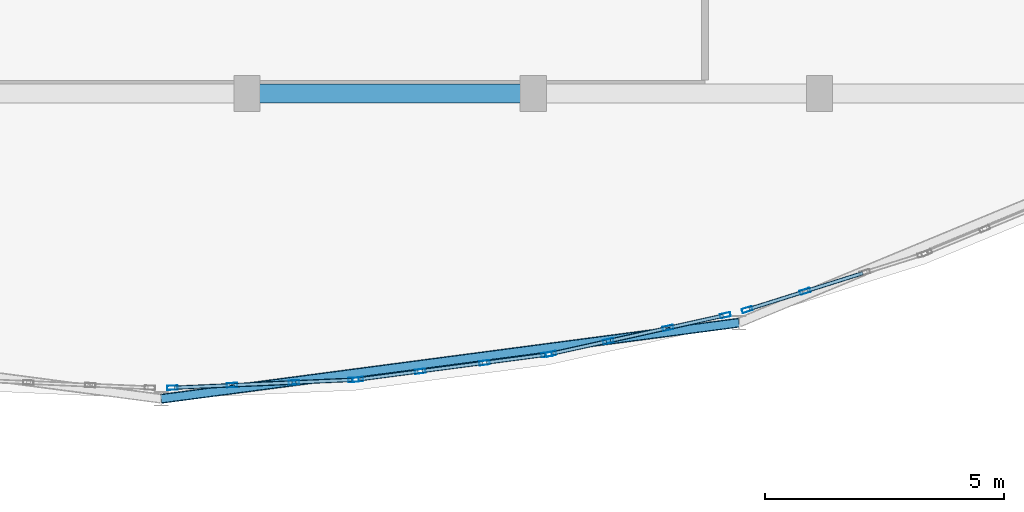
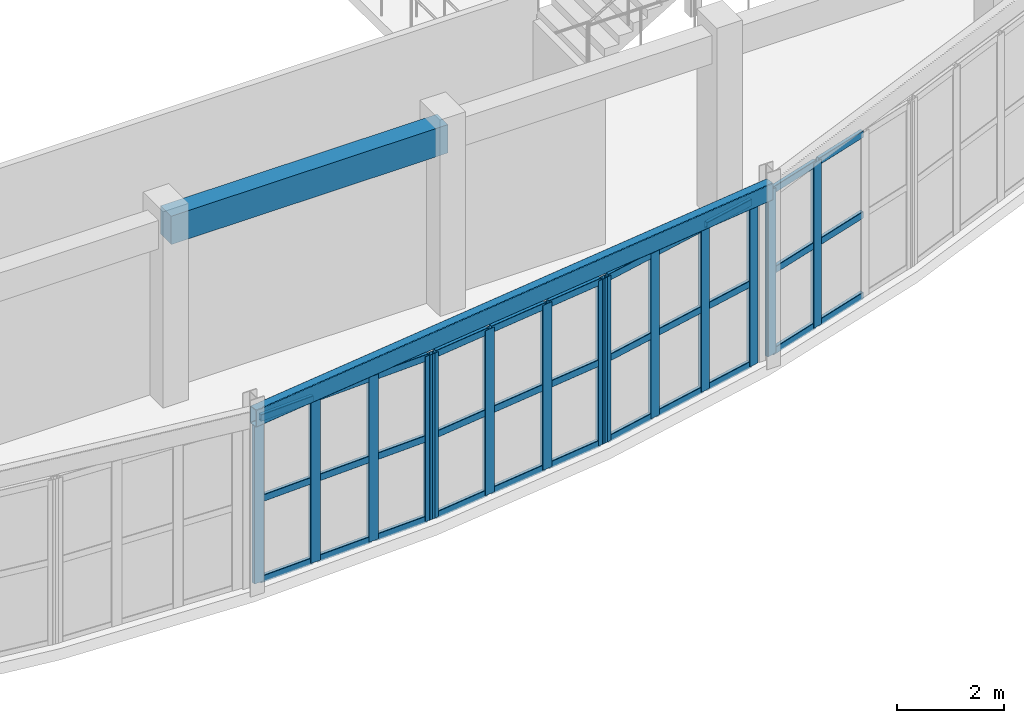
# One storey, part 9 of 92: 47 members, 2 beams, 4 elements without a shape of their own.
"""IFC4 building model written with IfcOpenShell, lengths in metres."""

from ifc_helpers import new_model, si_unit, direction, frame, origin, origin_2d, place, context, subcontext, project, spatial, rectangle, hollow_rectangle, extrude, material, layer, layer_set, material_profile, profile_set, type_object, element, aggregate, save


model = new_model("IFC4")

# Units and contexts
model_context = context("Model", 3, precision=1e-05, world=origin(), true_north=direction((0.0, 1.0)))
body_context = subcontext(model_context, "Body", "Model", "MODEL_VIEW")
ifc_project = project(units=[si_unit("LENGTHUNIT", "METRE"), si_unit("AREAUNIT", "SQUARE_METRE"), si_unit("VOLUMEUNIT", "CUBIC_METRE"), si_unit("PLANEANGLEUNIT", "RADIAN"), si_unit("MASSUNIT", "GRAM", prefix="KILO")], contexts=[model_context])

# Site, building, storey
site_placement = place(None, origin())
site = spatial("IfcSite", under=ifc_project, at=site_placement, CompositionType="ELEMENT")
building_placement = place(site_placement, origin())
building = spatial("IfcBuilding", under=site, at=building_placement, Name="Tarnavel Promenade Courthouse", CompositionType="ELEMENT")
storey_placement = place(building_placement, frame((0.0, 0.0, 5.39990234375)))
storey = spatial("IfcBuildingStorey", under=building, at=storey_placement, Name="L02", CompositionType="ELEMENT", Elevation=5.39990234375)

# Beams
ifc_material_1 = material(Name="Concrete C40/50", Category="concrete")
ifc_material_profile_1 = material_profile(ifc_material_1, rectangle(XDim=0.39990234375, YDim=0.64990234375, at=origin_2d()), Name="RC 400x650")
ifc_profile_set_1 = profile_set([ifc_material_profile_1], Name="Concrete C40/50")
beam_type_1 = type_object("IfcBeamType", Name="Concrete C40/50 BM-RC-400x650 (RC 400x650)", PredefinedType="BEAM", material=ifc_profile_set_1)
beam_1_placement = place(storey_placement, frame((33.60009765625, 14.800048828125, 3.8701171875), z_axis=(1.0, 0.0, 0.0), x_axis=(0.0, 1.0, 0.0)))
element("IfcBeam", 1, at=beam_1_placement, inside=storey, type_object=beam_type_1, Name="L02 Primary Longitudinal Beam 1076", PredefinedType="BEAM", context=body_context, shape_type="SweptSolid", body=[
    extrude(rectangle(XDim=0.39990234375, YDim=0.64990234375, at=origin_2d()), origin(), (0.0, 0.0, 1.0), 6.0),
])
ifc_material_2 = material(Name="Steel S355J2", Category="steel")
ifc_material_profile_2 = material_profile(ifc_material_2, hollow_rectangle(XDim=0.199951171875, YDim=0.39990234375, WallThickness=0.01416015625, InnerFilletRadius=0.013916015625, OuterFilletRadius=0.028076171875, at=origin_2d()), Name="RHS 400x200x14.2")
ifc_profile_set_2 = profile_set([ifc_material_profile_2], Name="Steel S355J2")
beam_type_2 = type_object("IfcBeamType", Name="Steel S355J2 BM-ST-RHS400 (RHS 400x200x14.2)", PredefinedType="SPANDREL", material=ifc_profile_set_2)
beam_2_placement = place(storey_placement, frame((31.800048828125, 8.39990234375, 3.9951171875), z_axis=(0.991444021821, 0.130532569096, 0.0), x_axis=(-0.130532569096, 0.991444021821, 0.0)))
element("IfcBeam", 2, at=beam_2_placement, inside=storey, type_object=beam_type_2, Name="L02 Public Drum Ring Beam 1529", PredefinedType="SPANDREL", context=body_context, shape_type="SweptSolid", body=[
    extrude(hollow_rectangle(XDim=0.199951171875, YDim=0.39990234375, WallThickness=0.01416015625, InnerFilletRadius=0.013916015625, OuterFilletRadius=0.028076171875, at=origin_2d()), origin(), (0.0, 0.0, 1.0), 12.217041015625),
])

# Curtain wall, members
ifc_material_3 = material(Name="Thermally Broken Anodised Aluminium Curtain Wall System", Category="aluminium")
ifc_layer = layer(ifc_material_3, 0.219970703125)
ifc_layer_set = layer_set([ifc_layer], Name="Thermally Broken Anodised Aluminium Curtain Wall System")
curtain_wall_type = type_object("IfcCurtainWallType", Name="Thermally Broken Aluminium Triple-Glazed Curtain Wall CW-DRUM", PredefinedType="NOTDEFINED", material=ifc_layer_set)
curtain_wall_1_placement = place(storey_placement, origin())
curtain_wall_1 = element("IfcCurtainWall", 3, at=curtain_wall_1_placement, inside=storey, type_object=curtain_wall_type, Name="L02 Public Hall Drum Curtain Wall 018", PredefinedType="NOTDEFINED")
ifc_material_4 = material(Name="Thermally Broken Anodised Aluminium Frame", Category="aluminium")
ifc_material_profile_3 = material_profile(ifc_material_4, hollow_rectangle(XDim=0.090087890625, YDim=0.219970703125, WallThickness=0.0048828125, InnerFilletRadius=0.0048828125, OuterFilletRadius=0.010009765625, at=origin_2d()), Name="CWM 220x90x5")
ifc_profile_set_3 = profile_set([ifc_material_profile_3], Name="Thermally Broken Anodised Aluminium Frame")
member_type_1 = type_object("IfcMemberType", Name="Thermally Broken Anodised Aluminium CWM-175 (CWM 220x90x5)", PredefinedType="MULLION", material=ifc_profile_set_3)
member_1_placement = place(storey_placement, frame((32.03515625, 8.63037109375, 0.0), z_axis=(0.0, 0.0, 1.0), x_axis=(-0.04361861839, 0.999048255156, 0.0)))
member_1 = element("IfcMember", 4, at=member_1_placement, type_object=member_type_1, Name="CW-01 mullion 1", PredefinedType="MULLION", context=body_context, shape_type="SweptSolid", body=[
    extrude(hollow_rectangle(XDim=0.090087890625, YDim=0.219970703125, WallThickness=0.0048828125, InnerFilletRadius=0.0048828125, OuterFilletRadius=0.010009765625, at=origin_2d()), origin(), (0.0, 0.0, 1.0), 3.780029296875),
])
member_2_placement = place(storey_placement, frame((33.286376953125, 8.684814453125, 0.0), z_axis=(0.0, 0.0, 1.0), x_axis=(-0.04361861839, 0.999048255156, 0.0)))
member_2 = element("IfcMember", 5, at=member_2_placement, type_object=member_type_1, Name="CW-01 mullion 2", PredefinedType="MULLION", context=body_context, shape_type="SweptSolid", body=[
    extrude(hollow_rectangle(XDim=0.090087890625, YDim=0.219970703125, WallThickness=0.0048828125, InnerFilletRadius=0.0048828125, OuterFilletRadius=0.010009765625, at=origin_2d()), origin(), (0.0, 0.0, 1.0), 3.780029296875),
])
member_3_placement = place(storey_placement, frame((34.582763671875, 8.741455078125, 0.0), z_axis=(0.0, 0.0, 1.0), x_axis=(-0.04361861839, 0.999048255156, 0.0)))
member_3 = element("IfcMember", 6, at=member_3_placement, type_object=member_type_1, Name="CW-01 mullion 3", PredefinedType="MULLION", context=body_context, shape_type="SweptSolid", body=[
    extrude(hollow_rectangle(XDim=0.090087890625, YDim=0.219970703125, WallThickness=0.0048828125, InnerFilletRadius=0.0048828125, OuterFilletRadius=0.010009765625, at=origin_2d()), origin(), (0.0, 0.0, 1.0), 3.780029296875),
])
member_4_placement = place(storey_placement, frame((35.833984375, 8.796142578125, 0.0), z_axis=(0.0, 0.0, 1.0), x_axis=(-0.04361861839, 0.999048255156, 0.0)))
member_4 = element("IfcMember", 7, at=member_4_placement, type_object=member_type_1, Name="CW-01 mullion 4", PredefinedType="MULLION", context=body_context, shape_type="SweptSolid", body=[
    extrude(hollow_rectangle(XDim=0.090087890625, YDim=0.219970703125, WallThickness=0.0048828125, InnerFilletRadius=0.0048828125, OuterFilletRadius=0.010009765625, at=origin_2d()), origin(), (0.0, 0.0, 1.0), 3.780029296875),
])

curtain_wall_2_placement = place(storey_placement, origin())
curtain_wall_2 = element("IfcCurtainWall", 8, at=curtain_wall_2_placement, inside=storey, type_object=curtain_wall_type, Name="L02 Public Hall Drum Curtain Wall 019", PredefinedType="NOTDEFINED")
member_5_placement = place(storey_placement, frame((35.923583984375, 8.803955078125, 0.0), z_axis=(0.0, 0.0, 1.0), x_axis=(-0.130526297584, 0.991444847502, 0.0)))
member_5 = element("IfcMember", 9, at=member_5_placement, type_object=member_type_1, Name="CW-01 mullion 1", PredefinedType="MULLION", context=body_context, shape_type="SweptSolid", body=[
    extrude(hollow_rectangle(XDim=0.090087890625, YDim=0.219970703125, WallThickness=0.0048828125, InnerFilletRadius=0.0048828125, OuterFilletRadius=0.010009765625, at=origin_2d()), origin(), (0.0, 0.0, 1.0), 3.780029296875),
])
member_6_placement = place(storey_placement, frame((37.228271484375, 8.975830078125, 0.0), z_axis=(0.0, 0.0, 1.0), x_axis=(-0.130526297584, 0.991444847502, 0.0)))
member_6 = element("IfcMember", 10, at=member_6_placement, type_object=member_type_1, Name="CW-01 mullion 2", PredefinedType="MULLION", context=body_context, shape_type="SweptSolid", body=[
    extrude(hollow_rectangle(XDim=0.090087890625, YDim=0.219970703125, WallThickness=0.0048828125, InnerFilletRadius=0.0048828125, OuterFilletRadius=0.010009765625, at=origin_2d()), origin(), (0.0, 0.0, 1.0), 3.780029296875),
])
member_7_placement = place(storey_placement, frame((38.577392578125, 9.1533203125, 0.0), z_axis=(0.0, 0.0, 1.0), x_axis=(-0.130526297584, 0.991444847502, 0.0)))
member_7 = element("IfcMember", 11, at=member_7_placement, type_object=member_type_1, Name="CW-01 mullion 3", PredefinedType="MULLION", context=body_context, shape_type="SweptSolid", body=[
    extrude(hollow_rectangle(XDim=0.090087890625, YDim=0.219970703125, WallThickness=0.0048828125, InnerFilletRadius=0.0048828125, OuterFilletRadius=0.010009765625, at=origin_2d()), origin(), (0.0, 0.0, 1.0), 3.780029296875),
])
member_8_placement = place(storey_placement, frame((39.882080078125, 9.3251953125, 0.0), z_axis=(0.0, 0.0, 1.0), x_axis=(-0.130526297584, 0.991444847502, 0.0)))
member_8 = element("IfcMember", 12, at=member_8_placement, type_object=member_type_1, Name="CW-01 mullion 4", PredefinedType="MULLION", context=body_context, shape_type="SweptSolid", body=[
    extrude(hollow_rectangle(XDim=0.090087890625, YDim=0.219970703125, WallThickness=0.0048828125, InnerFilletRadius=0.0048828125, OuterFilletRadius=0.010009765625, at=origin_2d()), origin(), (0.0, 0.0, 1.0), 3.780029296875),
])

curtain_wall_3_placement = place(storey_placement, origin())
curtain_wall_3 = element("IfcCurtainWall", 13, at=curtain_wall_3_placement, inside=storey, type_object=curtain_wall_type, Name="L02 Public Hall Drum Curtain Wall 020", PredefinedType="NOTDEFINED")
member_9_placement = place(storey_placement, frame((39.970703125, 9.3408203125, 0.0), z_axis=(0.0, 0.0, 1.0), x_axis=(-0.216438721763, 0.97629620491, 0.0)))
member_9 = element("IfcMember", 14, at=member_9_placement, type_object=member_type_1, Name="CW-01 mullion 1", PredefinedType="MULLION", context=body_context, shape_type="SweptSolid", body=[
    extrude(hollow_rectangle(XDim=0.090087890625, YDim=0.219970703125, WallThickness=0.0048828125, InnerFilletRadius=0.0048828125, OuterFilletRadius=0.010009765625, at=origin_2d()), origin(), (0.0, 0.0, 1.0), 3.780029296875),
])
member_10_placement = place(storey_placement, frame((41.1748046875, 9.607666015625, 0.0), z_axis=(0.0, 0.0, 1.0), x_axis=(-0.216438721763, 0.97629620491, 0.0)))
member_10 = element("IfcMember", 15, at=member_10_placement, type_object=member_type_1, Name="CW-01 mullion 2", PredefinedType="MULLION", context=body_context, shape_type="SweptSolid", body=[
    extrude(hollow_rectangle(XDim=0.090087890625, YDim=0.219970703125, WallThickness=0.0048828125, InnerFilletRadius=0.0048828125, OuterFilletRadius=0.010009765625, at=origin_2d()), origin(), (0.0, 0.0, 1.0), 3.780029296875),
])
member_11_placement = place(storey_placement, frame((42.4228515625, 9.88427734375, 0.0), z_axis=(0.0, 0.0, 1.0), x_axis=(-0.216438721763, 0.97629620491, 0.0)))
member_11 = element("IfcMember", 16, at=member_11_placement, type_object=member_type_1, Name="CW-01 mullion 3", PredefinedType="MULLION", context=body_context, shape_type="SweptSolid", body=[
    extrude(hollow_rectangle(XDim=0.090087890625, YDim=0.219970703125, WallThickness=0.0048828125, InnerFilletRadius=0.0048828125, OuterFilletRadius=0.010009765625, at=origin_2d()), origin(), (0.0, 0.0, 1.0), 3.780029296875),
])
member_12_placement = place(storey_placement, frame((43.626953125, 10.1513671875, 0.0), z_axis=(0.0, 0.0, 1.0), x_axis=(-0.216438721763, 0.97629620491, 0.0)))
member_12 = element("IfcMember", 17, at=member_12_placement, type_object=member_type_1, Name="CW-01 mullion 4", PredefinedType="MULLION", context=body_context, shape_type="SweptSolid", body=[
    extrude(hollow_rectangle(XDim=0.090087890625, YDim=0.219970703125, WallThickness=0.0048828125, InnerFilletRadius=0.0048828125, OuterFilletRadius=0.010009765625, at=origin_2d()), origin(), (0.0, 0.0, 1.0), 3.780029296875),
])

curtain_wall_4_placement = place(storey_placement, origin())
curtain_wall_4 = element("IfcCurtainWall", 18, at=curtain_wall_4_placement, inside=storey, type_object=curtain_wall_type, Name="L02 Public Hall Drum Curtain Wall 021", PredefinedType="NOTDEFINED")
member_13_placement = place(storey_placement, frame((44.083251953125, 10.2685546875, 0.0), z_axis=(0.0, 0.0, 1.0), x_axis=(-0.300705340521, 0.953717095465, 0.0)))
member_13 = element("IfcMember", 19, at=member_13_placement, type_object=member_type_1, Name="CW-01 mullion 1", PredefinedType="MULLION", context=body_context, shape_type="SweptSolid", body=[
    extrude(hollow_rectangle(XDim=0.090087890625, YDim=0.219970703125, WallThickness=0.0048828125, InnerFilletRadius=0.0048828125, OuterFilletRadius=0.010009765625, at=origin_2d()), origin(), (0.0, 0.0, 1.0), 3.780029296875),
])
member_14_placement = place(storey_placement, frame((45.295654296875, 10.650634765625, 0.0), z_axis=(0.0, 0.0, 1.0), x_axis=(-0.300705340521, 0.953717095465, 0.0)))
member_14 = element("IfcMember", 20, at=member_14_placement, type_object=member_type_1, Name="CW-01 mullion 2", PredefinedType="MULLION", context=body_context, shape_type="SweptSolid", body=[
    extrude(hollow_rectangle(XDim=0.090087890625, YDim=0.219970703125, WallThickness=0.0048828125, InnerFilletRadius=0.0048828125, OuterFilletRadius=0.010009765625, at=origin_2d()), origin(), (0.0, 0.0, 1.0), 3.780029296875),
])

# Member
ifc_material_profile_4 = material_profile(ifc_material_4, hollow_rectangle(XDim=0.080078125, YDim=0.159912109375, WallThickness=0.0048828125, InnerFilletRadius=0.0048828125, OuterFilletRadius=0.010009765625, at=origin_2d()), Name="CWT 160x80x5")
ifc_profile_set_4 = profile_set([ifc_material_profile_4], Name="Thermally Broken Anodised Aluminium Frame")
member_type_2 = type_object("IfcMemberType", Name="Thermally Broken Anodised Aluminium CWT-145 (CWT 160x80x5)", PredefinedType="USERDEFINED", material=ifc_profile_set_4)
member_15_placement = place(storey_placement, frame((32.080078125, 8.63232421875, 0.0400390625), z_axis=(0.99905457265, 0.043473680164, 0.0), x_axis=(-0.043473680164, 0.99905457265, 0.0)))
member_15 = element("IfcMember", 21, at=member_15_placement, type_object=member_type_2, Name="CW-01 transom 1.1", ObjectType="TRANSOM", PredefinedType="USERDEFINED", context=body_context, shape_type="SweptSolid", body=[
    extrude(hollow_rectangle(XDim=0.080078125, YDim=0.159912109375, WallThickness=0.0048828125, InnerFilletRadius=0.0048828125, OuterFilletRadius=0.010009765625, at=origin_2d()), origin(), (0.0, 0.0, 1.0), 1.16259765625),
])

member_16_placement = place(storey_placement, frame((32.080078125, 8.63232421875, 1.89013671875), z_axis=(0.99905457265, 0.043473680164, 0.0), x_axis=(-0.043473680164, 0.99905457265, 0.0)))
member_16 = element("IfcMember", 22, at=member_16_placement, type_object=member_type_2, Name="CW-01 transom 1.2", ObjectType="TRANSOM", PredefinedType="USERDEFINED", context=body_context, shape_type="SweptSolid", body=[
    extrude(hollow_rectangle(XDim=0.080078125, YDim=0.159912109375, WallThickness=0.0048828125, InnerFilletRadius=0.0048828125, OuterFilletRadius=0.010009765625, at=origin_2d()), origin(), (0.0, 0.0, 1.0), 1.16259765625),
])

member_17_placement = place(storey_placement, frame((32.080078125, 8.63232421875, 3.739990234375), z_axis=(0.99905457265, 0.043473680164, 0.0), x_axis=(-0.043473680164, 0.99905457265, 0.0)))
member_17 = element("IfcMember", 23, at=member_17_placement, type_object=member_type_2, Name="CW-01 transom 1.3", ObjectType="TRANSOM", PredefinedType="USERDEFINED", context=body_context, shape_type="SweptSolid", body=[
    extrude(hollow_rectangle(XDim=0.080078125, YDim=0.159912109375, WallThickness=0.0048828125, InnerFilletRadius=0.0048828125, OuterFilletRadius=0.010009765625, at=origin_2d()), origin(), (0.0, 0.0, 1.0), 1.16259765625),
])

member_18_placement = place(storey_placement, frame((33.331298828125, 8.686767578125, 0.0400390625), z_axis=(0.999045829762, 0.043674134634, 0.0), x_axis=(-0.043674134634, 0.999045829762, 0.0)))
member_18 = element("IfcMember", 24, at=member_18_placement, type_object=member_type_2, Name="CW-01 transom 2.1", ObjectType="TRANSOM", PredefinedType="USERDEFINED", context=body_context, shape_type="SweptSolid", body=[
    extrude(hollow_rectangle(XDim=0.080078125, YDim=0.159912109375, WallThickness=0.0048828125, InnerFilletRadius=0.0048828125, OuterFilletRadius=0.010009765625, at=origin_2d()), origin(), (0.0, 0.0, 1.0), 1.20751953125),
])

member_19_placement = place(storey_placement, frame((33.331298828125, 8.686767578125, 1.89013671875), z_axis=(0.999045829762, 0.043674134634, 0.0), x_axis=(-0.043674134634, 0.999045829762, 0.0)))
member_19 = element("IfcMember", 25, at=member_19_placement, type_object=member_type_2, Name="CW-01 transom 2.2", ObjectType="TRANSOM", PredefinedType="USERDEFINED", context=body_context, shape_type="SweptSolid", body=[
    extrude(hollow_rectangle(XDim=0.080078125, YDim=0.159912109375, WallThickness=0.0048828125, InnerFilletRadius=0.0048828125, OuterFilletRadius=0.010009765625, at=origin_2d()), origin(), (0.0, 0.0, 1.0), 1.20751953125),
])

member_20_placement = place(storey_placement, frame((33.331298828125, 8.686767578125, 3.739990234375), z_axis=(0.999045829762, 0.043674134634, 0.0), x_axis=(-0.043674134634, 0.999045829762, 0.0)))
member_20 = element("IfcMember", 26, at=member_20_placement, type_object=member_type_2, Name="CW-01 transom 2.3", ObjectType="TRANSOM", PredefinedType="USERDEFINED", context=body_context, shape_type="SweptSolid", body=[
    extrude(hollow_rectangle(XDim=0.080078125, YDim=0.159912109375, WallThickness=0.0048828125, InnerFilletRadius=0.0048828125, OuterFilletRadius=0.010009765625, at=origin_2d()), origin(), (0.0, 0.0, 1.0), 1.20751953125),
])

member_21_placement = place(storey_placement, frame((34.627685546875, 8.743408203125, 0.0400390625), z_axis=(0.999045429129, 0.043683298141, 0.0), x_axis=(-0.043683298141, 0.999045429129, 0.0)))
member_21 = element("IfcMember", 27, at=member_21_placement, type_object=member_type_2, Name="CW-01 transom 3.1", ObjectType="TRANSOM", PredefinedType="USERDEFINED", context=body_context, shape_type="SweptSolid", body=[
    extrude(hollow_rectangle(XDim=0.080078125, YDim=0.159912109375, WallThickness=0.0048828125, InnerFilletRadius=0.0048828125, OuterFilletRadius=0.010009765625, at=origin_2d()), origin(), (0.0, 0.0, 1.0), 1.16259765625),
])

member_22_placement = place(storey_placement, frame((34.627685546875, 8.743408203125, 1.89013671875), z_axis=(0.999045429129, 0.043683298141, 0.0), x_axis=(-0.043683298141, 0.999045429129, 0.0)))
member_22 = element("IfcMember", 28, at=member_22_placement, type_object=member_type_2, Name="CW-01 transom 3.2", ObjectType="TRANSOM", PredefinedType="USERDEFINED", context=body_context, shape_type="SweptSolid", body=[
    extrude(hollow_rectangle(XDim=0.080078125, YDim=0.159912109375, WallThickness=0.0048828125, InnerFilletRadius=0.0048828125, OuterFilletRadius=0.010009765625, at=origin_2d()), origin(), (0.0, 0.0, 1.0), 1.16259765625),
])

member_23_placement = place(storey_placement, frame((34.627685546875, 8.743408203125, 3.739990234375), z_axis=(0.999045429129, 0.043683298141, 0.0), x_axis=(-0.043683298141, 0.999045429129, 0.0)))
member_23 = element("IfcMember", 29, at=member_23_placement, type_object=member_type_2, Name="CW-01 transom 3.3", ObjectType="TRANSOM", PredefinedType="USERDEFINED", context=body_context, shape_type="SweptSolid", body=[
    extrude(hollow_rectangle(XDim=0.080078125, YDim=0.159912109375, WallThickness=0.0048828125, InnerFilletRadius=0.0048828125, OuterFilletRadius=0.010009765625, at=origin_2d()), origin(), (0.0, 0.0, 1.0), 1.16259765625),
])

aggregate(curtain_wall_1, [member_1, member_2, member_3, member_4, member_15, member_16, member_17, member_18, member_19, member_20, member_21, member_22, member_23])

member_24_placement = place(storey_placement, frame((35.968017578125, 8.809814453125, 0.0400390625), z_axis=(0.99143191525, 0.130624490139, 0.0), x_axis=(-0.130624490139, 0.99143191525, 0.0)))
member_24 = element("IfcMember", 30, at=member_24_placement, type_object=member_type_2, Name="CW-01 transom 1.1", ObjectType="TRANSOM", PredefinedType="USERDEFINED", context=body_context, shape_type="SweptSolid", body=[
    extrude(hollow_rectangle(XDim=0.080078125, YDim=0.159912109375, WallThickness=0.0048828125, InnerFilletRadius=0.0048828125, OuterFilletRadius=0.010009765625, at=origin_2d()), origin(), (0.0, 0.0, 1.0), 1.22607421875),
])

member_25_placement = place(storey_placement, frame((35.968017578125, 8.809814453125, 1.89013671875), z_axis=(0.99143191525, 0.130624490139, 0.0), x_axis=(-0.130624490139, 0.99143191525, 0.0)))
member_25 = element("IfcMember", 31, at=member_25_placement, type_object=member_type_2, Name="CW-01 transom 1.2", ObjectType="TRANSOM", PredefinedType="USERDEFINED", context=body_context, shape_type="SweptSolid", body=[
    extrude(hollow_rectangle(XDim=0.080078125, YDim=0.159912109375, WallThickness=0.0048828125, InnerFilletRadius=0.0048828125, OuterFilletRadius=0.010009765625, at=origin_2d()), origin(), (0.0, 0.0, 1.0), 1.22607421875),
])

member_26_placement = place(storey_placement, frame((35.968017578125, 8.809814453125, 3.739990234375), z_axis=(0.99143191525, 0.130624490139, 0.0), x_axis=(-0.130624490139, 0.99143191525, 0.0)))
member_26 = element("IfcMember", 32, at=member_26_placement, type_object=member_type_2, Name="CW-01 transom 1.3", ObjectType="TRANSOM", PredefinedType="USERDEFINED", context=body_context, shape_type="SweptSolid", body=[
    extrude(hollow_rectangle(XDim=0.080078125, YDim=0.159912109375, WallThickness=0.0048828125, InnerFilletRadius=0.0048828125, OuterFilletRadius=0.010009765625, at=origin_2d()), origin(), (0.0, 0.0, 1.0), 1.22607421875),
])

member_27_placement = place(storey_placement, frame((37.272705078125, 8.981689453125, 0.0400390625), z_axis=(0.991459524667, 0.130414765062, 0.0), x_axis=(-0.130414765062, 0.991459524667, 0.0)))
member_27 = element("IfcMember", 33, at=member_27_placement, type_object=member_type_2, Name="CW-01 transom 2.1", ObjectType="TRANSOM", PredefinedType="USERDEFINED", context=body_context, shape_type="SweptSolid", body=[
    extrude(hollow_rectangle(XDim=0.080078125, YDim=0.159912109375, WallThickness=0.0048828125, InnerFilletRadius=0.0048828125, OuterFilletRadius=0.010009765625, at=origin_2d()), origin(), (0.0, 0.0, 1.0), 1.27099609375),
])

member_28_placement = place(storey_placement, frame((37.272705078125, 8.981689453125, 1.89013671875), z_axis=(0.991459524667, 0.130414765062, 0.0), x_axis=(-0.130414765062, 0.991459524667, 0.0)))
member_28 = element("IfcMember", 34, at=member_28_placement, type_object=member_type_2, Name="CW-01 transom 2.2", ObjectType="TRANSOM", PredefinedType="USERDEFINED", context=body_context, shape_type="SweptSolid", body=[
    extrude(hollow_rectangle(XDim=0.080078125, YDim=0.159912109375, WallThickness=0.0048828125, InnerFilletRadius=0.0048828125, OuterFilletRadius=0.010009765625, at=origin_2d()), origin(), (0.0, 0.0, 1.0), 1.27099609375),
])

member_29_placement = place(storey_placement, frame((37.272705078125, 8.981689453125, 3.739990234375), z_axis=(0.991459524667, 0.130414765062, 0.0), x_axis=(-0.130414765062, 0.991459524667, 0.0)))
member_29 = element("IfcMember", 35, at=member_29_placement, type_object=member_type_2, Name="CW-01 transom 2.3", ObjectType="TRANSOM", PredefinedType="USERDEFINED", context=body_context, shape_type="SweptSolid", body=[
    extrude(hollow_rectangle(XDim=0.080078125, YDim=0.159912109375, WallThickness=0.0048828125, InnerFilletRadius=0.0048828125, OuterFilletRadius=0.010009765625, at=origin_2d()), origin(), (0.0, 0.0, 1.0), 1.27099609375),
])

member_30_placement = place(storey_placement, frame((38.6220703125, 9.1591796875, 0.0400390625), z_axis=(0.991428516661, 0.13065028263, 0.0), x_axis=(-0.13065028263, 0.991428516661, 0.0)))
member_30 = element("IfcMember", 36, at=member_30_placement, type_object=member_type_2, Name="CW-01 transom 3.1", ObjectType="TRANSOM", PredefinedType="USERDEFINED", context=body_context, shape_type="SweptSolid", body=[
    extrude(hollow_rectangle(XDim=0.080078125, YDim=0.159912109375, WallThickness=0.0048828125, InnerFilletRadius=0.0048828125, OuterFilletRadius=0.010009765625, at=origin_2d()), origin(), (0.0, 0.0, 1.0), 1.225830078125),
])

member_31_placement = place(storey_placement, frame((38.6220703125, 9.1591796875, 1.89013671875), z_axis=(0.991428516661, 0.13065028263, 0.0), x_axis=(-0.13065028263, 0.991428516661, 0.0)))
member_31 = element("IfcMember", 37, at=member_31_placement, type_object=member_type_2, Name="CW-01 transom 3.2", ObjectType="TRANSOM", PredefinedType="USERDEFINED", context=body_context, shape_type="SweptSolid", body=[
    extrude(hollow_rectangle(XDim=0.080078125, YDim=0.159912109375, WallThickness=0.0048828125, InnerFilletRadius=0.0048828125, OuterFilletRadius=0.010009765625, at=origin_2d()), origin(), (0.0, 0.0, 1.0), 1.225830078125),
])

member_32_placement = place(storey_placement, frame((38.6220703125, 9.1591796875, 3.739990234375), z_axis=(0.991428516661, 0.13065028263, 0.0), x_axis=(-0.13065028263, 0.991428516661, 0.0)))
member_32 = element("IfcMember", 38, at=member_32_placement, type_object=member_type_2, Name="CW-01 transom 3.3", ObjectType="TRANSOM", PredefinedType="USERDEFINED", context=body_context, shape_type="SweptSolid", body=[
    extrude(hollow_rectangle(XDim=0.080078125, YDim=0.159912109375, WallThickness=0.0048828125, InnerFilletRadius=0.0048828125, OuterFilletRadius=0.010009765625, at=origin_2d()), origin(), (0.0, 0.0, 1.0), 1.225830078125),
])

aggregate(curtain_wall_2, [member_5, member_6, member_7, member_8, member_24, member_25, member_26, member_27, member_28, member_29, member_30, member_31, member_32])

member_33_placement = place(storey_placement, frame((40.0146484375, 9.3505859375, 0.0400390625), z_axis=(0.976322532452, 0.216319931184, 0.0), x_axis=(-0.216319931184, 0.976322532452, 0.0)))
member_33 = element("IfcMember", 39, at=member_33_placement, type_object=member_type_2, Name="CW-01 transom 1.1", ObjectType="TRANSOM", PredefinedType="USERDEFINED", context=body_context, shape_type="SweptSolid", body=[
    extrude(hollow_rectangle(XDim=0.080078125, YDim=0.159912109375, WallThickness=0.0048828125, InnerFilletRadius=0.0048828125, OuterFilletRadius=0.010009765625, at=origin_2d()), origin(), (0.0, 0.0, 1.0), 1.143310546875),
])

member_34_placement = place(storey_placement, frame((40.0146484375, 9.3505859375, 1.89013671875), z_axis=(0.976322532452, 0.216319931184, 0.0), x_axis=(-0.216319931184, 0.976322532452, 0.0)))
member_34 = element("IfcMember", 40, at=member_34_placement, type_object=member_type_2, Name="CW-01 transom 1.2", ObjectType="TRANSOM", PredefinedType="USERDEFINED", context=body_context, shape_type="SweptSolid", body=[
    extrude(hollow_rectangle(XDim=0.080078125, YDim=0.159912109375, WallThickness=0.0048828125, InnerFilletRadius=0.0048828125, OuterFilletRadius=0.010009765625, at=origin_2d()), origin(), (0.0, 0.0, 1.0), 1.143310546875),
])

member_35_placement = place(storey_placement, frame((40.0146484375, 9.3505859375, 3.739990234375), z_axis=(0.976322532452, 0.216319931184, 0.0), x_axis=(-0.216319931184, 0.976322532452, 0.0)))
member_35 = element("IfcMember", 41, at=member_35_placement, type_object=member_type_2, Name="CW-01 transom 1.3", ObjectType="TRANSOM", PredefinedType="USERDEFINED", context=body_context, shape_type="SweptSolid", body=[
    extrude(hollow_rectangle(XDim=0.080078125, YDim=0.159912109375, WallThickness=0.0048828125, InnerFilletRadius=0.0048828125, OuterFilletRadius=0.010009765625, at=origin_2d()), origin(), (0.0, 0.0, 1.0), 1.143310546875),
])

member_36_placement = place(storey_placement, frame((41.21875, 9.617431640625, 0.0400390625), z_axis=(0.976273993599, 0.216538886627, 0.0), x_axis=(-0.216538886627, 0.976273993599, 0.0)))
member_36 = element("IfcMember", 42, at=member_36_placement, type_object=member_type_2, Name="CW-01 transom 2.1", ObjectType="TRANSOM", PredefinedType="USERDEFINED", context=body_context, shape_type="SweptSolid", body=[
    extrude(hollow_rectangle(XDim=0.080078125, YDim=0.159912109375, WallThickness=0.0048828125, InnerFilletRadius=0.0048828125, OuterFilletRadius=0.010009765625, at=origin_2d()), origin(), (0.0, 0.0, 1.0), 1.188232421875),
])

member_37_placement = place(storey_placement, frame((41.21875, 9.617431640625, 1.89013671875), z_axis=(0.976273993599, 0.216538886627, 0.0), x_axis=(-0.216538886627, 0.976273993599, 0.0)))
member_37 = element("IfcMember", 43, at=member_37_placement, type_object=member_type_2, Name="CW-01 transom 2.2", ObjectType="TRANSOM", PredefinedType="USERDEFINED", context=body_context, shape_type="SweptSolid", body=[
    extrude(hollow_rectangle(XDim=0.080078125, YDim=0.159912109375, WallThickness=0.0048828125, InnerFilletRadius=0.0048828125, OuterFilletRadius=0.010009765625, at=origin_2d()), origin(), (0.0, 0.0, 1.0), 1.188232421875),
])

member_38_placement = place(storey_placement, frame((41.21875, 9.617431640625, 3.739990234375), z_axis=(0.976273993599, 0.216538886627, 0.0), x_axis=(-0.216538886627, 0.976273993599, 0.0)))
member_38 = element("IfcMember", 44, at=member_38_placement, type_object=member_type_2, Name="CW-01 transom 2.3", ObjectType="TRANSOM", PredefinedType="USERDEFINED", context=body_context, shape_type="SweptSolid", body=[
    extrude(hollow_rectangle(XDim=0.080078125, YDim=0.159912109375, WallThickness=0.0048828125, InnerFilletRadius=0.0048828125, OuterFilletRadius=0.010009765625, at=origin_2d()), origin(), (0.0, 0.0, 1.0), 1.188232421875),
])

member_39_placement = place(storey_placement, frame((42.466796875, 9.89404296875, 0.0400390625), z_axis=(0.976277413277, 0.216523468299, 0.0), x_axis=(-0.216523468299, 0.976277413277, 0.0)))
member_39 = element("IfcMember", 45, at=member_39_placement, type_object=member_type_2, Name="CW-01 transom 3.1", ObjectType="TRANSOM", PredefinedType="USERDEFINED", context=body_context, shape_type="SweptSolid", body=[
    extrude(hollow_rectangle(XDim=0.080078125, YDim=0.159912109375, WallThickness=0.0048828125, InnerFilletRadius=0.0048828125, OuterFilletRadius=0.010009765625, at=origin_2d()), origin(), (0.0, 0.0, 1.0), 1.143310546875),
])

member_40_placement = place(storey_placement, frame((42.466796875, 9.89404296875, 1.89013671875), z_axis=(0.976277413277, 0.216523468299, 0.0), x_axis=(-0.216523468299, 0.976277413277, 0.0)))
member_40 = element("IfcMember", 46, at=member_40_placement, type_object=member_type_2, Name="CW-01 transom 3.2", ObjectType="TRANSOM", PredefinedType="USERDEFINED", context=body_context, shape_type="SweptSolid", body=[
    extrude(hollow_rectangle(XDim=0.080078125, YDim=0.159912109375, WallThickness=0.0048828125, InnerFilletRadius=0.0048828125, OuterFilletRadius=0.010009765625, at=origin_2d()), origin(), (0.0, 0.0, 1.0), 1.143310546875),
])

member_41_placement = place(storey_placement, frame((42.466796875, 9.89404296875, 3.739990234375), z_axis=(0.976277413277, 0.216523468299, 0.0), x_axis=(-0.216523468299, 0.976277413277, 0.0)))
member_41 = element("IfcMember", 47, at=member_41_placement, type_object=member_type_2, Name="CW-01 transom 3.3", ObjectType="TRANSOM", PredefinedType="USERDEFINED", context=body_context, shape_type="SweptSolid", body=[
    extrude(hollow_rectangle(XDim=0.080078125, YDim=0.159912109375, WallThickness=0.0048828125, InnerFilletRadius=0.0048828125, OuterFilletRadius=0.010009765625, at=origin_2d()), origin(), (0.0, 0.0, 1.0), 1.143310546875),
])

aggregate(curtain_wall_3, [member_9, member_10, member_11, member_12, member_33, member_34, member_35, member_36, member_37, member_38, member_39, member_40, member_41])

member_42_placement = place(storey_placement, frame((44.126220703125, 10.281982421875, 0.0400390625), z_axis=(0.953723109008, 0.300686267304, 0.0), x_axis=(-0.300686267304, 0.953723109008, 0.0)))
member_42 = element("IfcMember", 48, at=member_42_placement, type_object=member_type_2, Name="CW-01 transom 1.1", ObjectType="TRANSOM", PredefinedType="USERDEFINED", context=body_context, shape_type="SweptSolid", body=[
    extrude(hollow_rectangle(XDim=0.080078125, YDim=0.159912109375, WallThickness=0.0048828125, InnerFilletRadius=0.0048828125, OuterFilletRadius=0.010009765625, at=origin_2d()), origin(), (0.0, 0.0, 1.0), 1.181396484375),
])

member_43_placement = place(storey_placement, frame((44.126220703125, 10.281982421875, 1.89013671875), z_axis=(0.953723109008, 0.300686267304, 0.0), x_axis=(-0.300686267304, 0.953723109008, 0.0)))
member_43 = element("IfcMember", 49, at=member_43_placement, type_object=member_type_2, Name="CW-01 transom 1.2", ObjectType="TRANSOM", PredefinedType="USERDEFINED", context=body_context, shape_type="SweptSolid", body=[
    extrude(hollow_rectangle(XDim=0.080078125, YDim=0.159912109375, WallThickness=0.0048828125, InnerFilletRadius=0.0048828125, OuterFilletRadius=0.010009765625, at=origin_2d()), origin(), (0.0, 0.0, 1.0), 1.181396484375),
])

member_44_placement = place(storey_placement, frame((44.126220703125, 10.281982421875, 3.739990234375), z_axis=(0.953723109008, 0.300686267304, 0.0), x_axis=(-0.300686267304, 0.953723109008, 0.0)))
member_44 = element("IfcMember", 50, at=member_44_placement, type_object=member_type_2, Name="CW-01 transom 1.3", ObjectType="TRANSOM", PredefinedType="USERDEFINED", context=body_context, shape_type="SweptSolid", body=[
    extrude(hollow_rectangle(XDim=0.080078125, YDim=0.159912109375, WallThickness=0.0048828125, InnerFilletRadius=0.0048828125, OuterFilletRadius=0.010009765625, at=origin_2d()), origin(), (0.0, 0.0, 1.0), 1.181396484375),
])

member_45_placement = place(storey_placement, frame((45.338623046875, 10.664306640625, 0.0400390625), z_axis=(0.953750999467, 0.300597789438, 0.0), x_axis=(-0.300597789438, 0.953750999467, 0.0)))
member_45 = element("IfcMember", 51, at=member_45_placement, type_object=member_type_2, Name="CW-01 transom 2.1", ObjectType="TRANSOM", PredefinedType="USERDEFINED", context=body_context, shape_type="SweptSolid", body=[
    extrude(hollow_rectangle(XDim=0.080078125, YDim=0.159912109375, WallThickness=0.0048828125, InnerFilletRadius=0.0048828125, OuterFilletRadius=0.010009765625, at=origin_2d()), origin(), (0.0, 0.0, 1.0), 1.226318359375),
])

member_46_placement = place(storey_placement, frame((45.338623046875, 10.664306640625, 1.89013671875), z_axis=(0.953750999467, 0.300597789438, 0.0), x_axis=(-0.300597789438, 0.953750999467, 0.0)))
member_46 = element("IfcMember", 52, at=member_46_placement, type_object=member_type_2, Name="CW-01 transom 2.2", ObjectType="TRANSOM", PredefinedType="USERDEFINED", context=body_context, shape_type="SweptSolid", body=[
    extrude(hollow_rectangle(XDim=0.080078125, YDim=0.159912109375, WallThickness=0.0048828125, InnerFilletRadius=0.0048828125, OuterFilletRadius=0.010009765625, at=origin_2d()), origin(), (0.0, 0.0, 1.0), 1.226318359375),
])

member_47_placement = place(storey_placement, frame((45.338623046875, 10.664306640625, 3.739990234375), z_axis=(0.953750999467, 0.300597789438, 0.0), x_axis=(-0.300597789438, 0.953750999467, 0.0)))
member_47 = element("IfcMember", 53, at=member_47_placement, type_object=member_type_2, Name="CW-01 transom 2.3", ObjectType="TRANSOM", PredefinedType="USERDEFINED", context=body_context, shape_type="SweptSolid", body=[
    extrude(hollow_rectangle(XDim=0.080078125, YDim=0.159912109375, WallThickness=0.0048828125, InnerFilletRadius=0.0048828125, OuterFilletRadius=0.010009765625, at=origin_2d()), origin(), (0.0, 0.0, 1.0), 1.226318359375),
])

aggregate(curtain_wall_4, [member_13, member_14, member_42, member_43, member_44, member_45, member_46, member_47])

save(model, "model.ifc")
